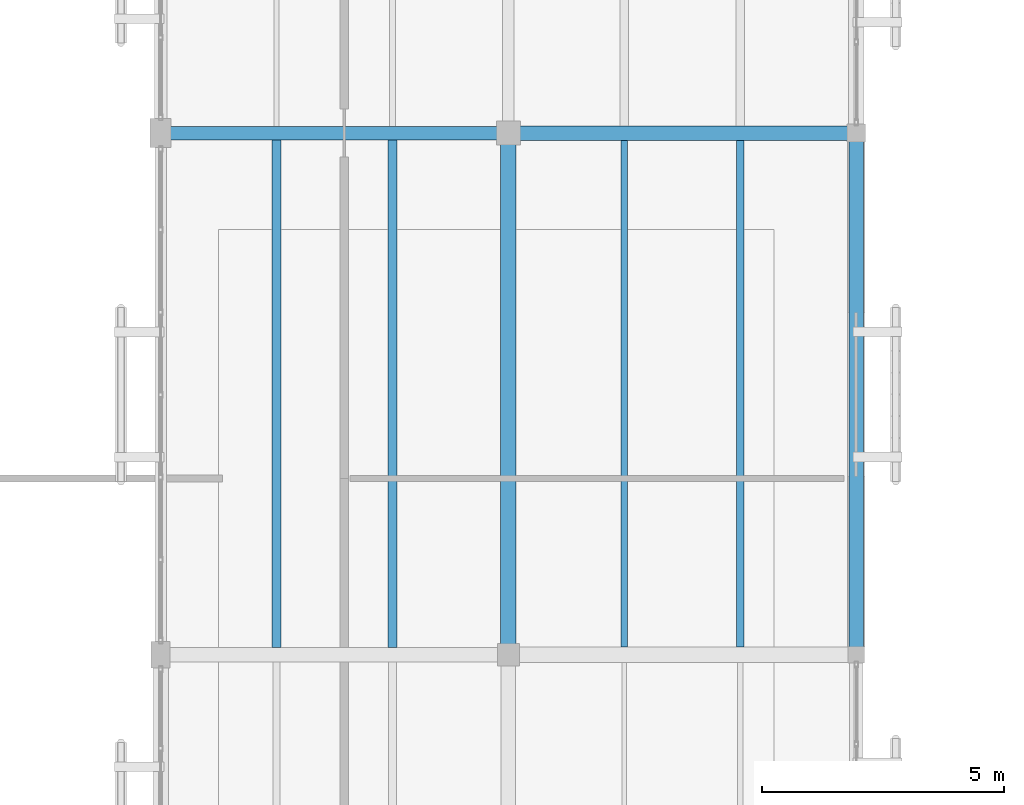
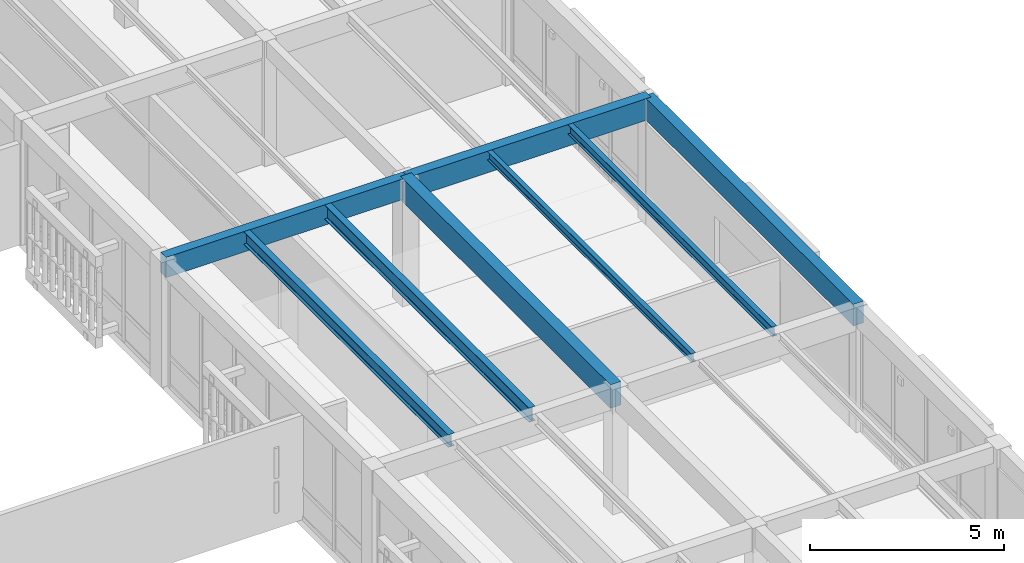
# One storey, part 35 of 112: 8 beams.
"""IFC4 building model written with IfcOpenShell, lengths in metres."""

from ifc_helpers import new_model, si_unit, direction, frame, origin, origin_2d, place, context, subcontext, project, spatial, rectangle, i_section, extrude, material, material_profile, profile_set, type_object, element, save


model = new_model("IFC4")

# Units and contexts
model_context = context("Model", 3, precision=1e-05, world=origin(), true_north=direction((0.0, 1.0)))
body_context = subcontext(model_context, "Body", "Model", "MODEL_VIEW")
ifc_project = project(units=[si_unit("LENGTHUNIT", "METRE"), si_unit("AREAUNIT", "SQUARE_METRE"), si_unit("VOLUMEUNIT", "CUBIC_METRE"), si_unit("PLANEANGLEUNIT", "RADIAN"), si_unit("MASSUNIT", "GRAM", prefix="KILO")], contexts=[model_context])

# Site, building, storey
site_placement = place(None, origin())
site = spatial("IfcSite", under=ifc_project, at=site_placement, CompositionType="ELEMENT")
building_placement = place(site_placement, origin())
building = spatial("IfcBuilding", under=site, at=building_placement, Name="Mazaris Harbour Polytechnic", CompositionType="ELEMENT")
storey_placement = place(building_placement, frame((0.0, 0.0, 13.800048828125)))
storey = spatial("IfcBuildingStorey", under=building, at=storey_placement, Name="L03", CompositionType="ELEMENT", Elevation=13.800048828125)

# Beams
ifc_material_1 = material(Name="Glulam GL32h", Category="wood")
ifc_material_profile_1 = material_profile(ifc_material_1, rectangle(XDim=0.280029296875, YDim=0.639892578125, at=origin_2d()), Name="RECT280x640")
ifc_profile_set_1 = profile_set([ifc_material_profile_1], Name="Glulam GL32h")
beam_type_1 = type_object("IfcBeamType", Name="Glulam Girder 280x640", PredefinedType="BEAM", material=ifc_profile_set_1)
beam_1_placement = place(storey_placement, frame((28.800048828125, 54.0, 3.599853515625), z_axis=(1.0, 0.0, 0.0), x_axis=(0.0, 1.0, 0.0)))
element("IfcBeam", 1, at=beam_1_placement, inside=storey, type_object=beam_type_1, Name="V4 L03 Girder 2202", PredefinedType="BEAM", context=body_context, shape_type="SweptSolid", body=[
    extrude(rectangle(XDim=0.280029296875, YDim=0.639892578125, at=origin_2d()), origin(), (0.0, 0.0, 1.0), 7.199951171875),
])
ifc_material_2 = material(Name="Glulam GL32h", Category="wood")
ifc_material_profile_2 = material_profile(ifc_material_2, rectangle(XDim=0.300048828125, YDim=0.679931640625, at=origin_2d()), Name="RECT300x680")
ifc_profile_set_2 = profile_set([ifc_material_profile_2], Name="Glulam GL32h")
beam_type_2 = type_object("IfcBeamType", Name="Glulam Girder 300x680", PredefinedType="BEAM", material=ifc_profile_set_2)
beam_2_placement = place(storey_placement, frame((36.0, 54.0, 3.579833984375), z_axis=(1.0, 0.0, 0.0), x_axis=(0.0, 1.0, 0.0)))
element("IfcBeam", 2, at=beam_2_placement, inside=storey, type_object=beam_type_2, Name="V4 L03 Girder 2203", PredefinedType="BEAM", context=body_context, shape_type="SweptSolid", body=[
    extrude(rectangle(XDim=0.300048828125, YDim=0.679931640625, at=origin_2d()), origin(), (0.0, 0.0, 1.0), 7.199951171875),
])
ifc_material_3 = material(Name="Glulam GL32h", Category="wood")
ifc_material_profile_3 = material_profile(ifc_material_3, rectangle(XDim=0.300048828125, YDim=0.679931640625, at=origin_2d()), Name="RECT300x680")
ifc_profile_set_3 = profile_set([ifc_material_profile_3], Name="Glulam GL32h")
beam_type_3 = type_object("IfcBeamType", Name="Glulam Girder 300x680 Exterior", PredefinedType="BEAM", material=ifc_profile_set_3)
beam_3_placement = place(storey_placement, frame((43.199951171875, 43.199951171875, 3.579833984375), z_axis=(0.0, 1.0, 0.0), x_axis=(-1.0, 0.0, 0.0)))
element("IfcBeam", 3, at=beam_3_placement, inside=storey, type_object=beam_type_3, Name="V4 L03 Tie Girder 2273", PredefinedType="BEAM", context=body_context, shape_type="SweptSolid", body=[
    extrude(rectangle(XDim=0.300048828125, YDim=0.679931640625, at=origin_2d()), origin(), (0.0, 0.0, 1.0), 10.800048828125),
])
ifc_material_4 = material(Name="Glulam GL32h", Category="wood")
ifc_material_profile_4 = material_profile(ifc_material_4, rectangle(XDim=0.320068359375, YDim=0.739990234375, at=origin_2d()), Name="RECT320x740")
ifc_profile_set_4 = profile_set([ifc_material_profile_4], Name="Glulam GL32h")
beam_type_4 = type_object("IfcBeamType", Name="Glulam Girder 320x740", PredefinedType="BEAM", material=ifc_profile_set_4)
beam_4_placement = place(storey_placement, frame((36.0, 43.199951171875, 3.550048828125), z_axis=(0.0, 1.0, 0.0), x_axis=(-1.0, 0.0, 0.0)))
element("IfcBeam", 4, at=beam_4_placement, inside=storey, type_object=beam_type_4, Name="V4 L03 Tie Girder 2264", PredefinedType="BEAM", context=body_context, shape_type="SweptSolid", body=[
    extrude(rectangle(XDim=0.320068359375, YDim=0.739990234375, at=origin_2d()), origin(), (0.0, 0.0, 1.0), 10.800048828125),
])
ifc_material_5 = material(Name="Steel S355", Category="steel")
ifc_material_profile_5 = material_profile(ifc_material_5, i_section(OverallWidth=0.135009765625, OverallDepth=0.27001953125, WebThickness=0.006591796875, FlangeThickness=0.01025390625, FilletRadius=0.014892578125, at=origin_2d()), Name="IPE 270")
ifc_profile_set_5 = profile_set([ifc_material_profile_5], Name="Steel S355")
beam_type_5 = type_object("IfcBeamType", Name="Steel Joist IPE270", PredefinedType="JOIST", material=ifc_profile_set_5)
beam_5_placement = place(storey_placement, frame((38.39990234375, 43.360107421875, 3.784912109375), z_axis=(0.0, 1.0, 0.0), x_axis=(-1.0, 0.0, 0.0)))
element("IfcBeam", 5, at=beam_5_placement, inside=storey, type_object=beam_type_5, Name="V4 L03 Floor Joist 2354", PredefinedType="JOIST", context=body_context, shape_type="SweptSolid", body=[
    extrude(i_section(OverallWidth=0.135009765625, OverallDepth=0.27001953125, WebThickness=0.006591796875, FlangeThickness=0.01025390625, FilletRadius=0.014892578125, at=origin_2d()), origin(), (0.0, 0.0, 1.0), 10.489990234375),
])
ifc_material_6 = material(Name="Steel S355", Category="steel")
ifc_material_profile_6 = material_profile(ifc_material_6, i_section(OverallWidth=0.14990234375, OverallDepth=0.300048828125, WebThickness=0.007080078125, FlangeThickness=0.0107421875, FilletRadius=0.014892578125, at=origin_2d()), Name="IPE 300")
ifc_profile_set_6 = profile_set([ifc_material_profile_6], Name="Steel S355")
beam_type_6 = type_object("IfcBeamType", Name="Steel Joist IPE300", PredefinedType="JOIST", material=ifc_profile_set_6)
beam_6_placement = place(storey_placement, frame((40.800048828125, 43.360107421875, 3.77001953125), z_axis=(0.0, 1.0, 0.0), x_axis=(-1.0, 0.0, 0.0)))
element("IfcBeam", 6, at=beam_6_placement, inside=storey, type_object=beam_type_6, Name="V4 L03 Floor Joist 2355", PredefinedType="JOIST", context=body_context, shape_type="SweptSolid", body=[
    extrude(i_section(OverallWidth=0.14990234375, OverallDepth=0.300048828125, WebThickness=0.007080078125, FlangeThickness=0.0107421875, FilletRadius=0.014892578125, at=origin_2d()), origin(), (0.0, 0.0, 1.0), 10.489990234375),
])
ifc_material_7 = material(Name="Steel S355", Category="steel")
ifc_material_profile_7 = material_profile(ifc_material_7, i_section(OverallWidth=0.179931640625, OverallDepth=0.39990234375, WebThickness=0.008544921875, FlangeThickness=0.013427734375, FilletRadius=0.02099609375, at=origin_2d()), Name="IPE 400")
ifc_profile_set_7 = profile_set([ifc_material_profile_7], Name="Steel S355")
beam_type_7 = type_object("IfcBeamType", Name="Steel Joist IPE400", PredefinedType="JOIST", material=ifc_profile_set_7)
beam_7_placement = place(storey_placement, frame((31.199951171875, 43.35009765625, 3.719970703125), z_axis=(0.0, 1.0, 0.0), x_axis=(-1.0, 0.0, 0.0)))
element("IfcBeam", 7, at=beam_7_placement, inside=storey, type_object=beam_type_7, Name="V4 L03 Floor Joist 2336", PredefinedType="JOIST", context=body_context, shape_type="SweptSolid", body=[
    extrude(i_section(OverallWidth=0.179931640625, OverallDepth=0.39990234375, WebThickness=0.008544921875, FlangeThickness=0.013427734375, FilletRadius=0.02099609375, at=origin_2d()), origin(), (0.0, 0.0, 1.0), 10.510009765625),
])
ifc_material_8 = material(Name="Steel S355", Category="steel")
ifc_material_profile_8 = material_profile(ifc_material_8, i_section(OverallWidth=0.18994140625, OverallDepth=0.449951171875, WebThickness=0.009521484375, FlangeThickness=0.0146484375, FilletRadius=0.02099609375, at=origin_2d()), Name="IPE 450")
ifc_profile_set_8 = profile_set([ifc_material_profile_8], Name="Steel S355")
beam_type_8 = type_object("IfcBeamType", Name="Steel Joist IPE450", PredefinedType="JOIST", material=ifc_profile_set_8)
beam_8_placement = place(storey_placement, frame((33.60009765625, 43.35009765625, 3.695068359375), z_axis=(0.0, 1.0, 0.0), x_axis=(-1.0, 0.0, 0.0)))
element("IfcBeam", 8, at=beam_8_placement, inside=storey, type_object=beam_type_8, Name="V4 L03 Floor Joist 2337", PredefinedType="JOIST", context=body_context, shape_type="SweptSolid", body=[
    extrude(i_section(OverallWidth=0.18994140625, OverallDepth=0.449951171875, WebThickness=0.009521484375, FlangeThickness=0.0146484375, FilletRadius=0.02099609375, at=origin_2d()), origin(), (0.0, 0.0, 1.0), 10.510009765625),
])

save(model, "model.ifc")
